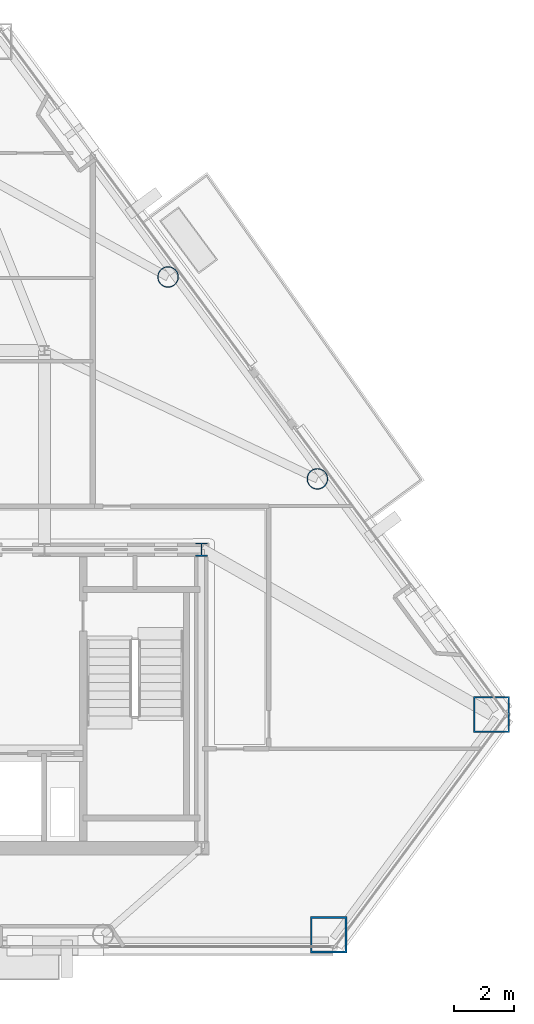
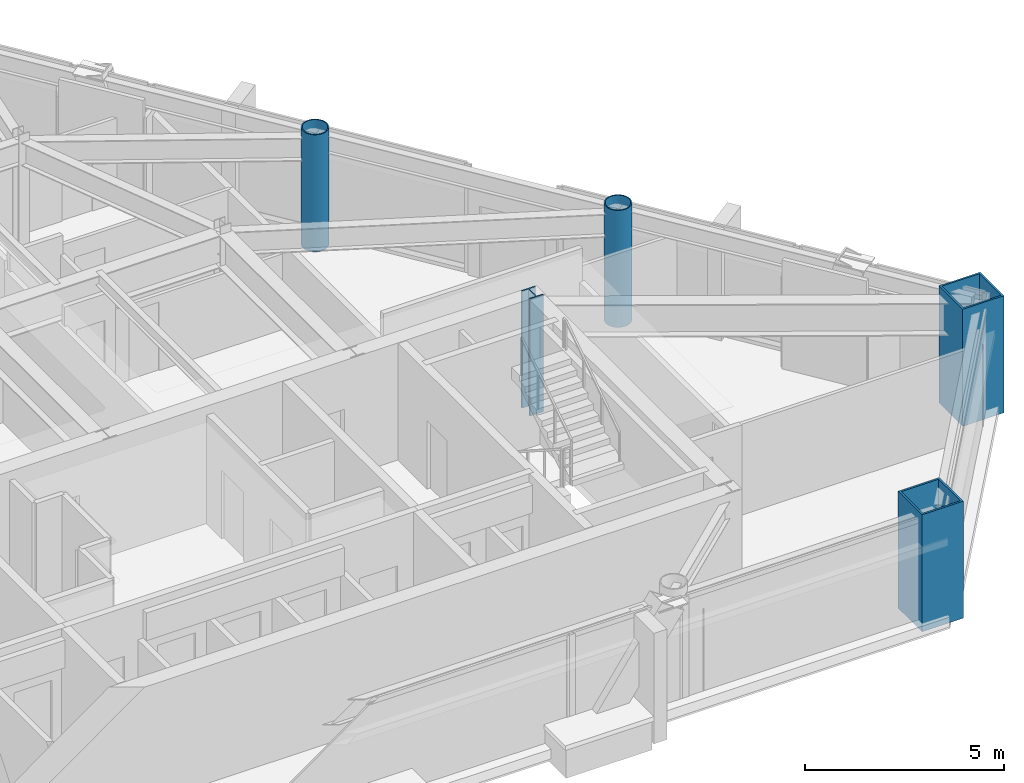
# One storey, part 2 of 11: 5 columns.
"""IFC4 building model written with IfcOpenShell, lengths in metres."""

from ifc_helpers import new_model, si_unit, direction, frame, origin, origin_2d, place, context, subcontext, project, spatial, hollow_rectangle, hollow_circle, i_section, extrude, material, material_profile, profile_set, type_object, element, save


model = new_model("IFC4")

# Units and contexts
model_context = context("Model", 3, precision=1e-05, world=origin(), true_north=direction((0.0, 1.0)))
body_context = subcontext(model_context, "Body", "Model", "MODEL_VIEW")
ifc_project = project(units=[si_unit("LENGTHUNIT", "METRE"), si_unit("AREAUNIT", "SQUARE_METRE"), si_unit("VOLUMEUNIT", "CUBIC_METRE"), si_unit("PLANEANGLEUNIT", "RADIAN"), si_unit("MASSUNIT", "GRAM", prefix="KILO")], contexts=[model_context])

# Site, building, storey
site_placement = place(None, origin())
site = spatial("IfcSite", under=ifc_project, at=site_placement, CompositionType="ELEMENT")
building_placement = place(site_placement, origin())
building = spatial("IfcBuilding", under=site, at=building_placement, Name="Talgorran Terracotta Tower", CompositionType="ELEMENT")
storey_placement = place(building_placement, frame((0.0, 0.0, 122.10009765625)))
storey = spatial("IfcBuildingStorey", under=building, at=storey_placement, Name="L31", CompositionType="ELEMENT", Elevation=122.10009765625)

# Columns
ifc_material_1 = material(Name="Steel S355 (300PLUS)", Category="steel")
ifc_material_profile_1 = material_profile(ifc_material_1, i_section(OverallWidth=0.39990234375, OverallDepth=0.43994140625, WebThickness=0.028076171875, FlangeThickness=0.0400390625, at=origin_2d()), Name="400WC328")
ifc_profile_set_1 = profile_set([ifc_material_profile_1], Name="Steel S355 (300PLUS)")
column_type_1 = type_object("IfcColumnType", Name="COL_400WC328", PredefinedType="COLUMN", material=ifc_profile_set_1)
column_placement = place(storey_placement, frame((12.39990234375, -4.199951171875, 0.0), z_axis=(0.0, 0.0, 1.0), x_axis=(1.0, 0.0, 0.0)))
element("IfcColumn", 1, at=column_placement, inside=storey, type_object=column_type_1, Name="L31 Core Boundary Column CC3", PredefinedType="COLUMN", context=body_context, shape_type="SweptSolid", body=[
    extrude(i_section(OverallWidth=0.39990234375, OverallDepth=0.43994140625, WebThickness=0.028076171875, FlangeThickness=0.0400390625, at=origin_2d()), origin(), (0.0, 0.0, 1.0), 3.599853515625),
])
ifc_material_2 = material(Name="Steel Grade 350 (350L0)", Category="steel")
ifc_material_profile_2 = material_profile(ifc_material_2, hollow_rectangle(XDim=1.199951171875, YDim=1.199951171875, WallThickness=0.054931640625, at=origin_2d()), Name="CFT1200X1200X55")
ifc_profile_set_2 = profile_set([ifc_material_profile_2], Name="Steel Grade 350 (350L0)")
column_type_2 = type_object("IfcColumnType", Name="COL_CFT_1200", PredefinedType="COLUMN", material=ifc_profile_set_2)
for number, where, z_axis, x_axis, name in (
    (2, (16.618408203125, -16.96337890625, 0.0), (0.0, 0.0, 1.0), (1.0, 0.0, 0.0), "L31 Corner CFT Mega-Column MC3"),
    (3, (22.0185546875, -9.661865234375, 0.0), (0.0, 0.0, 1.0), (1.0, 0.0, 0.0), "L31 Corner CFT Mega-Column MC4"),
):
    element("IfcColumn", number, at=place(storey_placement, frame(where, z_axis=z_axis, x_axis=x_axis)), inside=storey, type_object=column_type_2, Name=name, PredefinedType="COLUMN", context=body_context, shape_type="SweptSolid", body=[
        extrude(hollow_rectangle(XDim=1.199951171875, YDim=1.199951171875, WallThickness=0.054931640625, at=origin_2d()), origin(), (0.0, 0.0, 1.0), 3.599853515625),
    ])
ifc_material_profile_3 = material_profile(ifc_material_2, hollow_circle(Radius=0.35009765625, WallThickness=0.030029296875, at=origin_2d()), Name="CHS700X30")
ifc_profile_set_3 = profile_set([ifc_material_profile_3], Name="Steel Grade 350 (350L0)")
column_type_3 = type_object("IfcColumnType", Name="COL_CHS_700", PredefinedType="COLUMN", material=ifc_profile_set_3)
for number, where, z_axis, x_axis, name in (
    (4, (16.244873046875, -1.855712890625, 0.0), (0.0, 0.0, 1.0), (1.0, 0.0, 0.0), "L31 Facet Perimeter Column FC3"),
    (5, (11.296142578125, 4.835693359375, 0.0), (0.0, 0.0, 1.0), (1.0, 0.0, 0.0), "L31 Facet Perimeter Column FC4"),
):
    element("IfcColumn", number, at=place(storey_placement, frame(where, z_axis=z_axis, x_axis=x_axis)), inside=storey, type_object=column_type_3, Name=name, PredefinedType="COLUMN", context=body_context, shape_type="SweptSolid", body=[
        extrude(hollow_circle(Radius=0.35009765625, WallThickness=0.030029296875, at=origin_2d()), origin(), (0.0, 0.0, 1.0), 3.599853515625),
    ])

save(model, "model.ifc")
